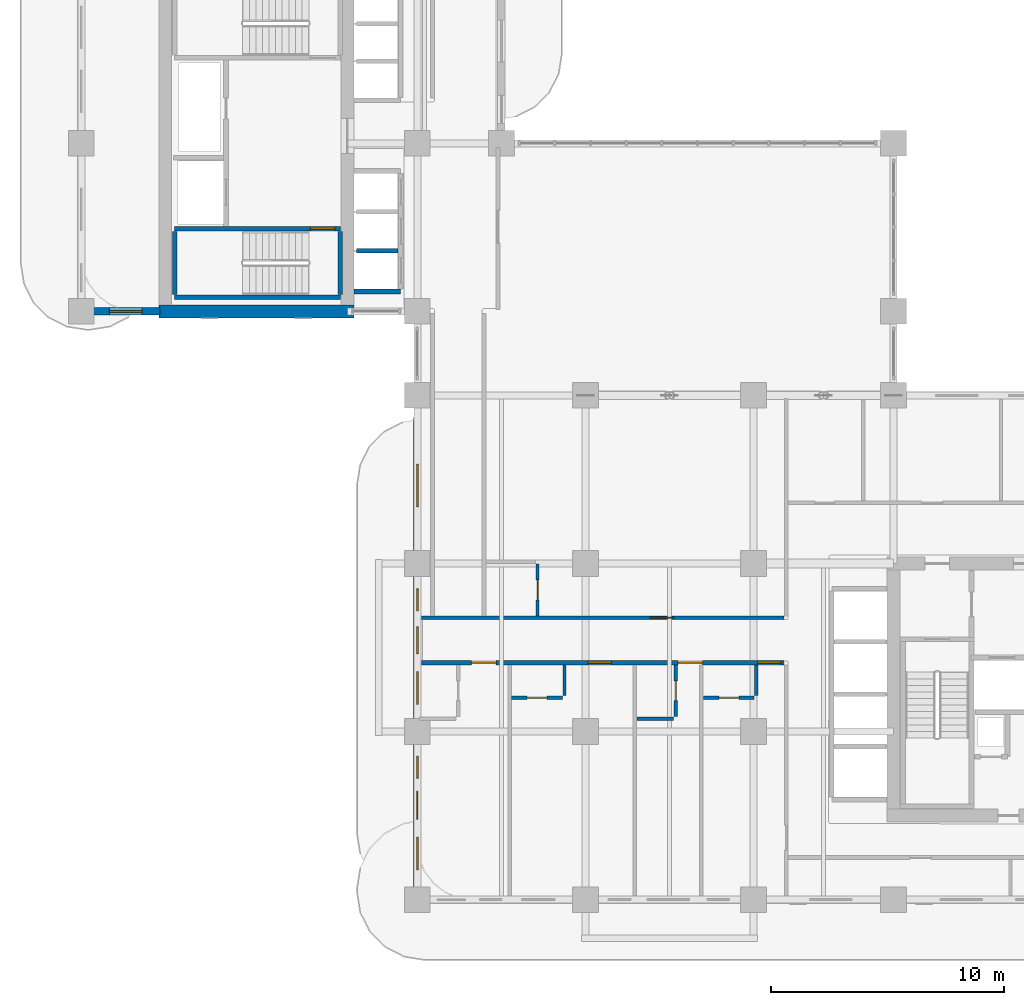
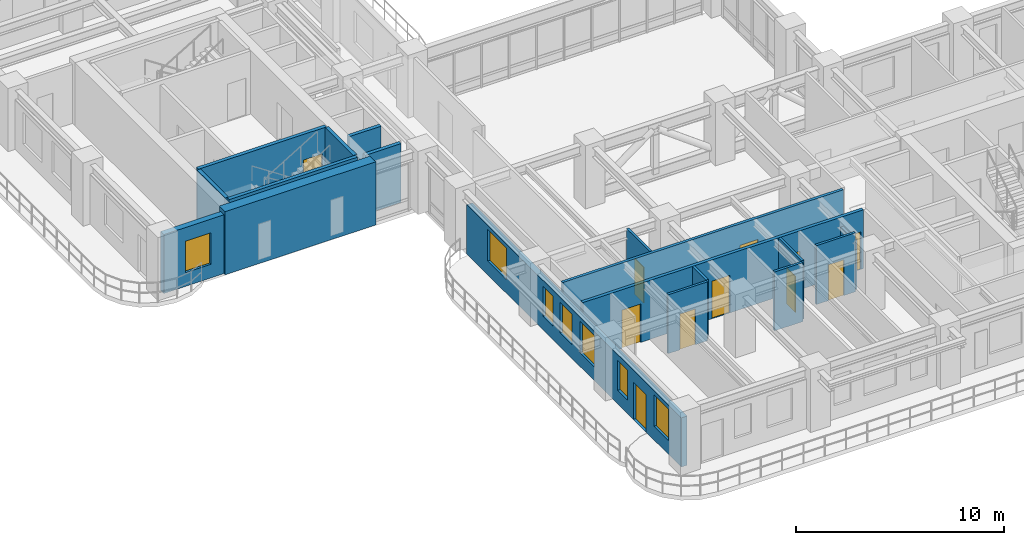
# One storey, part 11 of 21: 18 walls, 11 doors, 7 windows, 18 openings.
"""IFC4 building model written with IfcOpenShell, lengths in metres."""

from ifc_helpers import new_model, si_unit, derived_unit, direction, frame, frame_2d, origin, place, context, subcontext, project, spatial, rectangle, extrude, source, transform, mapped, material, layer, layer_set, type_object, type_shapes, element, fill, save


model = new_model("IFC4")

# Units and contexts
model_context = context("Model", 3, precision=1e-05, world=origin(), true_north=direction((0.0, 1.0)))
body_context = subcontext(model_context, "Body", "Model", "MODEL_VIEW")
ifc_project = project(units=[si_unit("LENGTHUNIT", "METRE"), si_unit("AREAUNIT", "SQUARE_METRE"), si_unit("VOLUMEUNIT", "CUBIC_METRE"), si_unit("PLANEANGLEUNIT", "RADIAN"), si_unit("MASSUNIT", "GRAM", prefix="KILO"), si_unit("THERMODYNAMICTEMPERATUREUNIT", "KELVIN"), si_unit("POWERUNIT", "WATT"), derived_unit("THERMALTRANSMITTANCEUNIT", [(si_unit("POWERUNIT", "WATT"), 1), (si_unit("AREAUNIT", "SQUARE_METRE"), -1), (si_unit("THERMODYNAMICTEMPERATUREUNIT", "KELVIN"), -1)])], contexts=[model_context])

# Site, building, storey
site_placement = place(None, origin())
site = spatial("IfcSite", under=ifc_project, at=site_placement, CompositionType="ELEMENT")
building_placement = place(site_placement, origin())
building = spatial("IfcBuilding", under=site, at=building_placement, Name="Zahravan Archway Hotel and Residences", CompositionType="ELEMENT")
storey_placement = place(building_placement, frame((0.0, 0.0, 69.39990234375)))
storey = spatial("IfcBuildingStorey", under=building, at=storey_placement, Name="L16", CompositionType="ELEMENT", Elevation=69.39990234375)

# Wall
ifc_material_1 = material(Name="Concrete C70/85", Category="concrete")
ifc_layer_1 = layer(ifc_material_1, 0.550048828125, Name="Concrete C70/85", Category="concrete")
ifc_layer_set_1 = layer_set([ifc_layer_1], Name="Concrete C70/85")
wall_type_1 = type_object("IfcWallType", Name="CW-CORE-550", PredefinedType="SHEAR", material=ifc_layer_set_1)
wall_1_placement = place(storey_placement, frame((3.324951171875, 25.199951171875, 0.0), z_axis=(0.0, 0.0, 1.0), x_axis=(1.0, 0.0, 0.0)))
element("IfcWall", 1, at=wall_1_placement, inside=storey, type_object=wall_type_1, Name="L16 Core B Shear S Wall 550 mm", PredefinedType="SHEAR", context=body_context, shape_type="SweptSolid", body=[
    extrude(rectangle(XDim=8.35009765625, YDim=0.550048828125, at=frame_2d((4.175048828125, 0.0))), origin(), (0.0, 0.0, 1.0), 3.7001953125),
])

# Wall, openings, door, windows
ifc_material_2 = material(Name="Agra Buff Sandstone & Insulated Backup", Category="masonry")
ifc_layer_2 = layer(ifc_material_2, 0.320068359375, Name="Agra Buff Sandstone & Insulated Backup", Category="masonry")
ifc_layer_set_2 = layer_set([ifc_layer_2], Name="Agra Buff Sandstone & Insulated Backup")
wall_type_2 = type_object("IfcWallType", Name="EW-SAND-320", PredefinedType="SOLIDWALL", material=ifc_layer_set_2)
wall_2_placement = place(storey_placement, frame((14.39990234375, 0.050048828125, 0.0), z_axis=(0.0, 0.0, 1.0), x_axis=(0.0, 1.0, 0.0)))
wall_2 = element("IfcWall", 2, at=wall_2_placement, inside=storey, type_object=wall_type_2, Name="L16 Exterior Sandstone Wall WA-WL", PredefinedType="SOLIDWALL", context=body_context, shape_type="SweptSolid", body=[
    extrude(rectangle(XDim=20.599853515625, YDim=0.320068359375, at=frame_2d((10.2998046875, 0.0))), origin(), (0.0, 0.0, 1.0), 2.885009765625),
])
opening_1_placement = place(wall_2_placement, frame((3.39990234375, 0.0, 0.0)))
opening_1 = element("IfcOpeningElement", 3, at=opening_1_placement, cuts=wall_2, Name="Opening ED-BL1", PredefinedType="OPENING", context=body_context, shape_type="SweptSolid", body=[
    extrude(rectangle(XDim=1.199951171875, YDim=2.199951171875, at=frame_2d((0.60009765625, 1.10009765625))), frame((0.0, 0.169921875, 0.0), z_axis=(0.0, -1.0, 0.0), x_axis=(1.0, 0.0, 0.0)), (0.0, 0.0, 1.0), 0.340087890625),
])
opening_2_placement = place(wall_2_placement, frame((1.22509765625, 0.0, 0.800048828125)))
opening_2 = element("IfcOpeningElement", 4, at=opening_2_placement, cuts=wall_2, Name="Opening W-03", PredefinedType="OPENING", context=body_context, shape_type="SweptSolid", body=[
    extrude(rectangle(XDim=1.39990234375, YDim=1.85009765625, at=frame_2d((0.699951171875, 0.925048828125))), frame((0.0, 0.169921875, 0.0), z_axis=(0.0, -1.0, 0.0), x_axis=(1.0, 0.0, 0.0)), (0.0, 0.0, 1.0), 0.340087890625),
])
opening_3_placement = place(wall_2_placement, frame((5.14990234375, 0.0, 0.800048828125)))
opening_3 = element("IfcOpeningElement", 5, at=opening_3_placement, cuts=wall_2, Name="Opening W-04", PredefinedType="OPENING", context=body_context, shape_type="SweptSolid", body=[
    extrude(rectangle(XDim=0.949951171875, YDim=1.75, at=frame_2d((0.47509765625, 0.875))), frame((0.0, 0.169921875, 0.0), z_axis=(0.0, -1.0, 0.0), x_axis=(1.0, 0.0, 0.0)), (0.0, 0.0, 1.0), 0.340087890625),
])
opening_4_placement = place(wall_2_placement, frame((8.321044921875, 0.0, 0.800048828125)))
opening_4 = element("IfcOpeningElement", 6, at=opening_4_placement, cuts=wall_2, Name="Opening W-03", PredefinedType="OPENING", context=body_context, shape_type="SweptSolid", body=[
    extrude(rectangle(XDim=1.39990234375, YDim=1.85009765625, at=frame_2d((0.699951171875, 0.925048828125))), frame((0.0, 0.169921875, 0.0), z_axis=(0.0, -1.0, 0.0), x_axis=(1.0, 0.0, 0.0)), (0.0, 0.0, 1.0), 0.340087890625),
])
opening_5_placement = place(wall_2_placement, frame((10.485107421875, 0.0, 0.800048828125)))
opening_5 = element("IfcOpeningElement", 7, at=opening_5_placement, cuts=wall_2, Name="Opening W-05", PredefinedType="OPENING", context=body_context, shape_type="SweptSolid", body=[
    extrude(rectangle(XDim=1.14990234375, YDim=1.800048828125, at=frame_2d((0.574951171875, 0.89990234375))), frame((0.0, 0.169921875, 0.0), z_axis=(0.0, -1.0, 0.0), x_axis=(1.0, 0.0, 0.0)), (0.0, 0.0, 1.0), 0.340087890625),
])
opening_6_placement = place(wall_2_placement, frame((12.31396484375, 0.0, 0.800048828125)))
opening_6 = element("IfcOpeningElement", 8, at=opening_6_placement, cuts=wall_2, Name="Opening W-04", PredefinedType="OPENING", context=body_context, shape_type="SweptSolid", body=[
    extrude(rectangle(XDim=0.949951171875, YDim=1.75, at=frame_2d((0.47509765625, 0.875))), frame((0.0, 0.169921875, 0.0), z_axis=(0.0, -1.0, 0.0), x_axis=(1.0, 0.0, 0.0)), (0.0, 0.0, 1.0), 0.340087890625),
])
opening_7_placement = place(wall_2_placement, frame((16.7900390625, 0.0, 0.800048828125)))
opening_7 = element("IfcOpeningElement", 9, at=opening_7_placement, cuts=wall_2, Name="Opening W-02", PredefinedType="OPENING", context=body_context, shape_type="SweptSolid", body=[
    extrude(rectangle(XDim=1.800048828125, YDim=1.85009765625, at=frame_2d((0.89990234375, 0.925048828125))), frame((0.0, 0.169921875, 0.0), z_axis=(0.0, -1.0, 0.0), x_axis=(1.0, 0.0, 0.0)), (0.0, 0.0, 1.0), 0.340087890625),
])
ifc_material_3 = material(Name="Bronze-Anodized Glazed Aluminium", Category="aluminium")
door_type_1 = type_object("IfcDoorType", Name="ED-BALC-1200", OperationType="SLIDING_TO_LEFT", PredefinedType="DOOR", material=ifc_material_3)
shared_shape_1 = source(origin(), body_context, "Body", "SweptSolid", [
    extrude(rectangle(XDim=1.199951171875, YDim=2.199951171875, at=frame_2d((0.60009765625, 1.10009765625))), frame((0.0, 0.02490234375, 0.0), z_axis=(0.0, -1.0, 0.0), x_axis=(1.0, 0.0, 0.0)), (0.0, 0.0, 1.0), 0.050048828125),
])
type_shapes(door_type_1, [shared_shape_1])
door_1_placement = place(opening_1_placement, origin())
door_1 = element("IfcDoor", 10, at=door_1_placement, inside=storey, type_object=door_type_1, Name="L16 Outdoor Access Sliding Door (SLB-BAL-L16-WA)", OperationType="SLIDING_TO_LEFT", OverallHeight=2.199951171875, OverallWidth=1.199951171875, PredefinedType="DOOR", context=body_context, shape_type="MappedRepresentation", body=[
    mapped(shared_shape_1, transform((0.0, 0.0, 0.0), scale=1.0)),
])
fill(opening_1, door_1)
ifc_material_4 = material(Name="Bronze-Anodized Thermal-Break Aluminium & Low-E Glass", Category="aluminium")
window_type_1 = type_object("IfcWindowType", Name="WIN-TWR-1400", PartitioningType="SINGLE_PANEL", PredefinedType="WINDOW", material=ifc_material_4)
shared_shape_2 = source(origin(), body_context, "Body", "SweptSolid", [
    extrude(rectangle(XDim=1.39990234375, YDim=1.85009765625, at=frame_2d((0.699951171875, 0.925048828125))), frame((0.0, 0.030029296875, 0.0), z_axis=(0.0, -1.0, 0.0), x_axis=(1.0, 0.0, 0.0)), (0.0, 0.0, 1.0), 0.06005859375),
])
type_shapes(window_type_1, [shared_shape_2])
window_1_placement = place(opening_2_placement, origin())
window_1 = element("IfcWindow", 11, at=window_1_placement, inside=storey, type_object=window_type_1, Name="L16 Loggia Window 25", OverallHeight=1.85009765625, OverallWidth=1.39990234375, PartitioningType="SINGLE_PANEL", PredefinedType="WINDOW", context=body_context, shape_type="MappedRepresentation", body=[
    mapped(shared_shape_2, transform((0.0, 0.0, 0.0), scale=1.0)),
])
fill(opening_2, window_1)
window_2_placement = place(opening_4_placement, origin())
window_2 = element("IfcWindow", 12, at=window_2_placement, inside=storey, type_object=window_type_1, Name="L16 Loggia Window 27", OverallHeight=1.85009765625, OverallWidth=1.39990234375, PartitioningType="SINGLE_PANEL", PredefinedType="WINDOW", context=body_context, shape_type="MappedRepresentation", body=[
    mapped(shared_shape_2, transform((0.0, 0.0, 0.0), scale=1.0)),
])
fill(opening_4, window_2)
window_type_2 = type_object("IfcWindowType", Name="WIN-NAR-950", PartitioningType="SINGLE_PANEL", PredefinedType="WINDOW", material=ifc_material_4)
shared_shape_3 = source(origin(), body_context, "Body", "SweptSolid", [
    extrude(rectangle(XDim=0.949951171875, YDim=1.75, at=frame_2d((0.47509765625, 0.875))), frame((0.0, 0.030029296875, 0.0), z_axis=(0.0, -1.0, 0.0), x_axis=(1.0, 0.0, 0.0)), (0.0, 0.0, 1.0), 0.06005859375),
])
type_shapes(window_type_2, [shared_shape_3])
window_3_placement = place(opening_3_placement, origin())
window_3 = element("IfcWindow", 13, at=window_3_placement, inside=storey, type_object=window_type_2, Name="L16 Loggia Window 26", OverallHeight=1.75, OverallWidth=0.949951171875, PartitioningType="SINGLE_PANEL", PredefinedType="WINDOW", context=body_context, shape_type="MappedRepresentation", body=[
    mapped(shared_shape_3, transform((0.0, 0.0, 0.0), scale=1.0)),
])
fill(opening_3, window_3)
window_4_placement = place(opening_6_placement, origin())
window_4 = element("IfcWindow", 14, at=window_4_placement, inside=storey, type_object=window_type_2, Name="L16 Loggia Window 29", OverallHeight=1.75, OverallWidth=0.949951171875, PartitioningType="SINGLE_PANEL", PredefinedType="WINDOW", context=body_context, shape_type="MappedRepresentation", body=[
    mapped(shared_shape_3, transform((0.0, 0.0, 0.0), scale=1.0)),
])
fill(opening_6, window_4)
window_type_3 = type_object("IfcWindowType", Name="WIN-TWR-1800", PartitioningType="DOUBLE_PANEL_VERTICAL", PredefinedType="WINDOW", material=ifc_material_4)
shared_shape_4 = source(origin(), body_context, "Body", "SweptSolid", [
    extrude(rectangle(XDim=1.800048828125, YDim=1.85009765625, at=frame_2d((0.89990234375, 0.925048828125))), frame((0.0, 0.030029296875, 0.0), z_axis=(0.0, -1.0, 0.0), x_axis=(1.0, 0.0, 0.0)), (0.0, 0.0, 1.0), 0.06005859375),
])
type_shapes(window_type_3, [shared_shape_4])
window_5_placement = place(opening_7_placement, origin())
window_5 = element("IfcWindow", 15, at=window_5_placement, inside=storey, type_object=window_type_3, Name="L16 Loggia Window 30", OverallHeight=1.85009765625, OverallWidth=1.800048828125, PartitioningType="DOUBLE_PANEL_VERTICAL", PredefinedType="WINDOW", context=body_context, shape_type="MappedRepresentation", body=[
    mapped(shared_shape_4, transform((0.0, 0.0, 0.0), scale=1.0)),
])
fill(opening_7, window_5)
window_type_4 = type_object("IfcWindowType", Name="WIN-TWR-1150", PartitioningType="SINGLE_PANEL", PredefinedType="WINDOW", material=ifc_material_4)
shared_shape_5 = source(origin(), body_context, "Body", "SweptSolid", [
    extrude(rectangle(XDim=1.14990234375, YDim=1.800048828125, at=frame_2d((0.574951171875, 0.89990234375))), frame((0.0, 0.030029296875, 0.0), z_axis=(0.0, -1.0, 0.0), x_axis=(1.0, 0.0, 0.0)), (0.0, 0.0, 1.0), 0.06005859375),
])
type_shapes(window_type_4, [shared_shape_5])
window_6_placement = place(opening_5_placement, origin())
window_6 = element("IfcWindow", 16, at=window_6_placement, inside=storey, type_object=window_type_4, Name="L16 Loggia Window 28", OverallHeight=1.800048828125, OverallWidth=1.14990234375, PartitioningType="SINGLE_PANEL", PredefinedType="WINDOW", context=body_context, shape_type="MappedRepresentation", body=[
    mapped(shared_shape_5, transform((0.0, 0.0, 0.0), scale=1.0)),
])
fill(opening_5, window_6)

# Wall, opening, window
wall_3_placement = place(storey_placement, frame((0.0, 25.199951171875, 0.0), z_axis=(0.0, 0.0, 1.0), x_axis=(1.0, 0.0, 0.0)))
wall_3 = element("IfcWall", 17, at=wall_3_placement, inside=storey, type_object=wall_type_2, Name="L16 Exterior Sandstone Wall WB-SW", PredefinedType="SOLIDWALL", context=body_context, shape_type="SweptSolid", body=[
    extrude(rectangle(XDim=3.3798828125, YDim=0.320068359375, at=frame_2d((1.68994140625, 0.0))), origin(), (0.0, 0.0, 1.0), 3.4501953125),
])
opening_8_placement = place(wall_3_placement, frame((1.205078125, 0.0, 0.800048828125)))
opening_8 = element("IfcOpeningElement", 18, at=opening_8_placement, cuts=wall_3, Name="Opening W-03", PredefinedType="OPENING", context=body_context, shape_type="SweptSolid", body=[
    extrude(rectangle(XDim=1.39990234375, YDim=1.85009765625, at=frame_2d((0.699951171875, 0.925048828125))), frame((0.0, 0.169921875, 0.0), z_axis=(0.0, -1.0, 0.0), x_axis=(1.0, 0.0, 0.0)), (0.0, 0.0, 1.0), 0.340087890625),
])
window_7_placement = place(opening_8_placement, origin())
window_7 = element("IfcWindow", 19, at=window_7_placement, inside=storey, type_object=window_type_1, Name="L16 Loggia Window 31", OverallHeight=1.85009765625, OverallWidth=1.39990234375, PartitioningType="SINGLE_PANEL", PredefinedType="WINDOW", context=body_context, shape_type="MappedRepresentation", body=[
    mapped(shared_shape_2, transform((0.0, 0.0, 0.0), scale=1.0)),
])
fill(opening_8, window_7)

# Wall, opening, door
ifc_material_5 = material(Name="Fire-Rated Gypsum & Concrete Block", Category="concrete")
ifc_layer_3 = layer(ifc_material_5, 0.159912109375, Name="Fire-Rated Gypsum & Concrete Block", Category="concrete")
ifc_layer_set_3 = layer_set([ifc_layer_3], Name="Fire-Rated Gypsum & Concrete Block")
wall_type_3 = type_object("IfcWallType", Name="PW-CORR-160", PredefinedType="PARTITIONING", material=ifc_layer_set_3)
wall_4_placement = place(storey_placement, frame((14.568115234375, 12.070068359375, 0.0), z_axis=(0.0, 0.0, 1.0), x_axis=(1.0, 0.0, 0.0)))
wall_4 = element("IfcWall", 20, at=wall_4_placement, inside=storey, type_object=wall_type_3, Name="L16 Partition WA-CN", PredefinedType="PARTITIONING", context=body_context, shape_type="SweptSolid", body=[
    extrude(rectangle(XDim=15.5419921875, YDim=0.159912109375, at=frame_2d((7.77099609375, 0.0))), origin(), (0.0, 0.0, 1.0), 3.4501953125),
])
opening_9_placement = place(wall_4_placement, frame((9.806884765625, 0.0, 0.0)))
opening_9 = element("IfcOpeningElement", 21, at=opening_9_placement, cuts=wall_4, Name="Opening D-U2", PredefinedType="OPENING", context=body_context, shape_type="SweptSolid", body=[
    extrude(rectangle(XDim=1.0, YDim=2.199951171875, at=frame_2d((0.5, 1.10009765625))), frame((0.0, 0.08984375, 0.0), z_axis=(0.0, -1.0, 0.0), x_axis=(1.0, 0.0, 0.0)), (0.0, 0.0, 1.0), 0.179931640625),
])
ifc_material_6 = material(Name="Hardwood Veneer Timber", Category="wood")
door_type_2 = type_object("IfcDoorType", Name="ID-UNIT-1000", OperationType="NOTDEFINED", PredefinedType="DOOR", material=ifc_material_6)
shared_shape_6 = source(origin(), body_context, "Body", "SweptSolid", [
    extrude(rectangle(XDim=1.0, YDim=2.199951171875, at=frame_2d((0.5, 1.10009765625))), frame((0.0, 0.02490234375, 0.0), z_axis=(0.0, -1.0, 0.0), x_axis=(1.0, 0.0, 0.0)), (0.0, 0.0, 1.0), 0.050048828125),
])
type_shapes(door_type_2, [shared_shape_6])
door_2_placement = place(opening_9_placement, origin())
door_2 = element("IfcDoor", 22, at=door_2_placement, inside=storey, type_object=door_type_2, Name="L16 Hotel Guestroom 55 Entrance Door", OperationType="SINGLE_SWING_RIGHT", OverallHeight=2.199951171875, OverallWidth=1.0, PredefinedType="DOOR", context=body_context, shape_type="MappedRepresentation", body=[
    mapped(shared_shape_6, transform((0.0, 0.0, 0.0), scale=1.0)),
])
fill(opening_9, door_2)

# Wall, openings, doors
ifc_layer_4 = layer(ifc_material_5, 0.179931640625, Name="Fire-Rated Gypsum & Concrete Block", Category="concrete")
ifc_layer_set_4 = layer_set([ifc_layer_4], Name="Fire-Rated Gypsum & Concrete Block")
wall_type_4 = type_object("IfcWallType", Name="PW-CORR-180", PredefinedType="PARTITIONING", material=ifc_layer_set_4)
wall_5_placement = place(storey_placement, frame((14.568115234375, 10.14990234375, 0.0), z_axis=(0.0, 0.0, 1.0), x_axis=(1.0, 0.0, 0.0)))
wall_5 = element("IfcWall", 23, at=wall_5_placement, inside=storey, type_object=wall_type_4, Name="L16 Partition WA-CS", PredefinedType="PARTITIONING", context=body_context, shape_type="SweptSolid", body=[
    extrude(rectangle(XDim=15.5419921875, YDim=0.179931640625, at=frame_2d((7.77099609375, 0.0))), origin(), (0.0, 0.0, 1.0), 3.4501953125),
])
opening_10_placement = place(wall_5_placement, frame((2.156982421875, 0.0, 0.0)))
opening_10 = element("IfcOpeningElement", 24, at=opening_10_placement, cuts=wall_5, Name="Opening D-U1", PredefinedType="OPENING", context=body_context, shape_type="SweptSolid", body=[
    extrude(rectangle(XDim=1.050048828125, YDim=2.25, at=frame_2d((0.52490234375, 1.125))), frame((0.0, 0.10009765625, 0.0), z_axis=(0.0, -1.0, 0.0), x_axis=(1.0, 0.0, 0.0)), (0.0, 0.0, 1.0), 0.199951171875),
])
opening_11_placement = place(wall_5_placement, frame((7.14208984375, 0.0, 0.0)))
opening_11 = element("IfcOpeningElement", 25, at=opening_11_placement, cuts=wall_5, Name="Opening D-U2", PredefinedType="OPENING", context=body_context, shape_type="SweptSolid", body=[
    extrude(rectangle(XDim=1.0, YDim=2.199951171875, at=frame_2d((0.5, 1.10009765625))), frame((0.0, 0.10009765625, 0.0), z_axis=(0.0, -1.0, 0.0), x_axis=(1.0, 0.0, 0.0)), (0.0, 0.0, 1.0), 0.199951171875),
])
opening_12_placement = place(wall_5_placement, frame((10.987060546875, 0.0, 0.0)))
opening_12 = element("IfcOpeningElement", 26, at=opening_12_placement, cuts=wall_5, Name="Opening D-U1", PredefinedType="OPENING", context=body_context, shape_type="SweptSolid", body=[
    extrude(rectangle(XDim=1.050048828125, YDim=2.25, at=frame_2d((0.52490234375, 1.125))), frame((0.0, 0.10009765625, 0.0), z_axis=(0.0, -1.0, 0.0), x_axis=(1.0, 0.0, 0.0)), (0.0, 0.0, 1.0), 0.199951171875),
])
opening_13_placement = place(wall_5_placement, frame((14.402099609375, 0.0, 0.0)))
opening_13 = element("IfcOpeningElement", 27, at=opening_13_placement, cuts=wall_5, Name="Opening D-U2", PredefinedType="OPENING", context=body_context, shape_type="SweptSolid", body=[
    extrude(rectangle(XDim=1.0, YDim=2.199951171875, at=frame_2d((0.5, 1.10009765625))), frame((0.0, 0.10009765625, 0.0), z_axis=(0.0, -1.0, 0.0), x_axis=(1.0, 0.0, 0.0)), (0.0, 0.0, 1.0), 0.199951171875),
])
door_type_3 = type_object("IfcDoorType", Name="ID-UNIT-1050", OperationType="NOTDEFINED", PredefinedType="DOOR", material=ifc_material_6)
shared_shape_7 = source(origin(), body_context, "Body", "SweptSolid", [
    extrude(rectangle(XDim=1.050048828125, YDim=2.25, at=frame_2d((0.52490234375, 1.125))), frame((0.0, 0.02490234375, 0.0), z_axis=(0.0, -1.0, 0.0), x_axis=(1.0, 0.0, 0.0)), (0.0, 0.0, 1.0), 0.050048828125),
])
type_shapes(door_type_3, [shared_shape_7])
door_3_placement = place(opening_10_placement, origin())
door_3 = element("IfcDoor", 28, at=door_3_placement, inside=storey, type_object=door_type_3, Name="L16 Hotel Guestroom 40 Entrance Door", OperationType="SINGLE_SWING_LEFT", OverallHeight=2.25, OverallWidth=1.050048828125, PredefinedType="DOOR", context=body_context, shape_type="MappedRepresentation", body=[
    mapped(shared_shape_7, transform((0.0, 0.0, 0.0), scale=1.0)),
])
fill(opening_10, door_3)
door_4_placement = place(opening_12_placement, origin())
door_4 = element("IfcDoor", 29, at=door_4_placement, inside=storey, type_object=door_type_3, Name="L16 Hotel Guestroom 42 Entrance Door", OperationType="SINGLE_SWING_LEFT", OverallHeight=2.25, OverallWidth=1.050048828125, PredefinedType="DOOR", context=body_context, shape_type="MappedRepresentation", body=[
    mapped(shared_shape_7, transform((0.0, 0.0, 0.0), scale=1.0)),
])
fill(opening_12, door_4)
door_5_placement = place(opening_11_placement, origin())
door_5 = element("IfcDoor", 30, at=door_5_placement, inside=storey, type_object=door_type_2, Name="L16 Hotel Guestroom 41 Entrance Door", OperationType="SINGLE_SWING_LEFT", OverallHeight=2.199951171875, OverallWidth=1.0, PredefinedType="DOOR", context=body_context, shape_type="MappedRepresentation", body=[
    mapped(shared_shape_6, transform((0.0, 0.0, 0.0), scale=1.0)),
])
fill(opening_11, door_5)
door_6_placement = place(opening_13_placement, origin())
door_6 = element("IfcDoor", 31, at=door_6_placement, inside=storey, type_object=door_type_2, Name="L16 Hotel Guestroom 43 Entrance Door", OperationType="SINGLE_SWING_LEFT", OverallHeight=2.199951171875, OverallWidth=1.0, PredefinedType="DOOR", context=body_context, shape_type="MappedRepresentation", body=[
    mapped(shared_shape_6, transform((0.0, 0.0, 0.0), scale=1.0)),
])
fill(opening_13, door_6)

# Walls
ifc_layer_5 = layer(ifc_material_5, 0.199951171875, Name="Fire-Rated Gypsum & Concrete Block", Category="concrete")
ifc_layer_set_5 = layer_set([ifc_layer_5], Name="Fire-Rated Gypsum & Concrete Block")
wall_type_5 = type_object("IfcWallType", Name="PW-SHAFT-200", PredefinedType="PARTITIONING", material=ifc_layer_set_5)
wall_6_placement = place(storey_placement, frame((11.68505859375, 26.050048828125, 0.0), z_axis=(0.0, 0.0, 1.0), x_axis=(1.0, 0.0, 0.0)))
element("IfcWall", 32, at=wall_6_placement, inside=storey, type_object=wall_type_5, Name="L16 Partition B1-S", PredefinedType="PARTITIONING", context=body_context, shape_type="SweptSolid", body=[
    extrude(rectangle(XDim=1.98486328125, YDim=0.199951171875, at=frame_2d((0.992431640625, 0.0))), origin(), (0.0, 0.0, 1.0), 3.4501953125),
])
wall_7_placement = place(storey_placement, frame((11.784912109375, 27.7900390625, 0.0), z_axis=(0.0, 0.0, 1.0), x_axis=(1.0, 0.0, 0.0)))
element("IfcWall", 33, at=wall_7_placement, inside=storey, type_object=wall_type_5, Name="L16 Partition B1-D", PredefinedType="PARTITIONING", context=body_context, shape_type="SweptSolid", body=[
    extrude(rectangle(XDim=1.78515625, YDim=0.199951171875, at=frame_2d((0.892578125, 0.0))), origin(), (0.0, 0.0, 1.0), 3.4501953125),
])
ifc_material_7 = material(Name="Moisture-Resistant Blockwork", Category="masonry")
ifc_layer_6 = layer(ifc_material_7, 0.139892578125, Name="Moisture-Resistant Blockwork", Category="masonry")
ifc_layer_set_6 = layer_set([ifc_layer_6], Name="Moisture-Resistant Blockwork")
wall_type_6 = type_object("IfcWallType", Name="PW-WET-140", PredefinedType="PARTITIONING", material=ifc_layer_set_6)
wall_8_placement = place(storey_placement, frame((20.699951171875, 8.739990234375, 0.0), z_axis=(0.0, 0.0, 1.0), x_axis=(0.0, 1.0, 0.0)))
element("IfcWall", 34, at=wall_8_placement, inside=storey, type_object=wall_type_6, Name="L16 Partition HKB-V41", PredefinedType="PARTITIONING", context=body_context, shape_type="SweptSolid", body=[
    extrude(rectangle(XDim=1.320068359375, YDim=0.139892578125, at=frame_2d((0.66015625, 0.0))), origin(), (0.0, 0.0, 1.0), 3.4501953125),
])

# Wall, opening, door
wall_9_placement = place(storey_placement, frame((18.43994140625, 8.64990234375, 0.0), z_axis=(0.0, 0.0, 1.0), x_axis=(1.0, 0.0, 0.0)))
wall_9 = element("IfcWall", 35, at=wall_9_placement, inside=storey, type_object=wall_type_6, Name="L16 Partition HKB-H41", PredefinedType="PARTITIONING", context=body_context, shape_type="SweptSolid", body=[
    extrude(rectangle(XDim=2.170166015625, YDim=0.139892578125, at=frame_2d((1.0849609375, 0.0))), origin(), (0.0, 0.0, 1.0), 3.4501953125),
])
opening_14_placement = place(wall_9_placement, frame((0.659912109375, 0.0, 0.0)))
opening_14 = element("IfcOpeningElement", 36, at=opening_14_placement, cuts=wall_9, Name="Opening D-B1", PredefinedType="OPENING", context=body_context, shape_type="SweptSolid", body=[
    extrude(rectangle(XDim=0.85009765625, YDim=2.10009765625, at=frame_2d((0.425048828125, 1.050048828125))), frame((0.0, 0.080078125, 0.0), z_axis=(0.0, -1.0, 0.0), x_axis=(1.0, 0.0, 0.0)), (0.0, 0.0, 1.0), 0.159912109375),
])
door_type_4 = type_object("IfcDoorType", Name="ID-BATH-850", OperationType="NOTDEFINED", PredefinedType="DOOR", material=ifc_material_6)
shared_shape_8 = source(origin(), body_context, "Body", "SweptSolid", [
    extrude(rectangle(XDim=0.85009765625, YDim=2.10009765625, at=frame_2d((0.425048828125, 1.050048828125))), frame((0.0, 0.02490234375, 0.0), z_axis=(0.0, -1.0, 0.0), x_axis=(1.0, 0.0, 0.0)), (0.0, 0.0, 1.0), 0.050048828125),
])
type_shapes(door_type_4, [shared_shape_8])
door_7_placement = place(opening_14_placement, origin())
door_7 = element("IfcDoor", 37, at=door_7_placement, inside=storey, type_object=door_type_4, Name="L16 Guestroom 41 En-Suite Door", OperationType="SINGLE_SWING_RIGHT", OverallHeight=2.10009765625, OverallWidth=0.85009765625, PredefinedType="DOOR", context=body_context, shape_type="MappedRepresentation", body=[
    mapped(shared_shape_8, transform((0.0, 0.0, 0.0), scale=1.0)),
])
fill(opening_14, door_7)

wall_10_placement = place(storey_placement, frame((25.469970703125, 7.840087890625, 0.0), z_axis=(0.0, 0.0, 1.0), x_axis=(0.0, 1.0, 0.0)))
wall_10 = element("IfcWall", 38, at=wall_10_placement, inside=storey, type_object=wall_type_6, Name="L16 Partition HKB-V42", PredefinedType="PARTITIONING", context=body_context, shape_type="SweptSolid", body=[
    extrude(rectangle(XDim=2.219970703125, YDim=0.139892578125, at=frame_2d((1.10986328125, 0.0))), origin(), (0.0, 0.0, 1.0), 3.4501953125),
])
opening_15_placement = place(wall_10_placement, frame((0.68505859375, 0.0, 0.0)))
opening_15 = element("IfcOpeningElement", 39, at=opening_15_placement, cuts=wall_10, Name="Opening D-B1", PredefinedType="OPENING", context=body_context, shape_type="SweptSolid", body=[
    extrude(rectangle(XDim=0.85009765625, YDim=2.10009765625, at=frame_2d((0.425048828125, 1.050048828125))), frame((0.0, 0.080078125, 0.0), z_axis=(0.0, -1.0, 0.0), x_axis=(1.0, 0.0, 0.0)), (0.0, 0.0, 1.0), 0.159912109375),
])
door_8_placement = place(opening_15_placement, origin())
door_8 = element("IfcDoor", 40, at=door_8_placement, inside=storey, type_object=door_type_4, Name="L16 Guestroom 42 En-Suite Door", OperationType="SINGLE_SWING_RIGHT", OverallHeight=2.10009765625, OverallWidth=0.85009765625, PredefinedType="DOOR", context=body_context, shape_type="MappedRepresentation", body=[
    mapped(shared_shape_8, transform((0.0, 0.0, 0.0), scale=1.0)),
])
fill(opening_15, door_8)

# Walls
wall_11_placement = place(storey_placement, frame((23.81005859375, 7.75, 0.0), z_axis=(0.0, 0.0, 1.0), x_axis=(1.0, 0.0, 0.0)))
element("IfcWall", 41, at=wall_11_placement, inside=storey, type_object=wall_type_6, Name="L16 Partition HKB-H42", PredefinedType="PARTITIONING", context=body_context, shape_type="SweptSolid", body=[
    extrude(rectangle(XDim=1.56982421875, YDim=0.139892578125, at=frame_2d((0.784912109375, 0.0))), origin(), (0.0, 0.0, 1.0), 3.4501953125),
])
wall_12_placement = place(storey_placement, frame((28.919921875, 8.739990234375, 0.0), z_axis=(0.0, 0.0, 1.0), x_axis=(0.0, 1.0, 0.0)))
element("IfcWall", 42, at=wall_12_placement, inside=storey, type_object=wall_type_6, Name="L16 Partition HKB-V43", PredefinedType="PARTITIONING", context=body_context, shape_type="SweptSolid", body=[
    extrude(rectangle(XDim=1.320068359375, YDim=0.139892578125, at=frame_2d((0.66015625, 0.0))), origin(), (0.0, 0.0, 1.0), 2.885009765625),
])

# Wall, opening, door
wall_13_placement = place(storey_placement, frame((26.659912109375, 8.64990234375, 0.0), z_axis=(0.0, 0.0, 1.0), x_axis=(1.0, 0.0, 0.0)))
wall_13 = element("IfcWall", 43, at=wall_13_placement, inside=storey, type_object=wall_type_6, Name="L16 Partition HKB-H43", PredefinedType="PARTITIONING", context=body_context, shape_type="SweptSolid", body=[
    extrude(rectangle(XDim=2.170166015625, YDim=0.139892578125, at=frame_2d((1.0849609375, 0.0))), origin(), (0.0, 0.0, 1.0), 3.4501953125),
])
opening_16_placement = place(wall_13_placement, frame((0.659912109375, 0.0, 0.0)))
opening_16 = element("IfcOpeningElement", 44, at=opening_16_placement, cuts=wall_13, Name="Opening D-B1", PredefinedType="OPENING", context=body_context, shape_type="SweptSolid", body=[
    extrude(rectangle(XDim=0.85009765625, YDim=2.10009765625, at=frame_2d((0.425048828125, 1.050048828125))), frame((0.0, 0.080078125, 0.0), z_axis=(0.0, -1.0, 0.0), x_axis=(1.0, 0.0, 0.0)), (0.0, 0.0, 1.0), 0.159912109375),
])
door_9_placement = place(opening_16_placement, origin())
door_9 = element("IfcDoor", 45, at=door_9_placement, inside=storey, type_object=door_type_4, Name="L16 Guestroom 43 En-Suite Door", OperationType="SINGLE_SWING_RIGHT", OverallHeight=2.10009765625, OverallWidth=0.85009765625, PredefinedType="DOOR", context=body_context, shape_type="MappedRepresentation", body=[
    mapped(shared_shape_8, transform((0.0, 0.0, 0.0), scale=1.0)),
])
fill(opening_16, door_9)

wall_14_placement = place(storey_placement, frame((19.550048828125, 12.159912109375, 0.0), z_axis=(0.0, 0.0, 1.0), x_axis=(0.0, 1.0, 0.0)))
wall_14 = element("IfcWall", 46, at=wall_14_placement, inside=storey, type_object=wall_type_6, Name="L16 Partition HKB-V55", PredefinedType="PARTITIONING", context=body_context, shape_type="SweptSolid", body=[
    extrude(rectangle(XDim=2.219970703125, YDim=0.139892578125, at=frame_2d((1.10986328125, 0.0))), origin(), (0.0, 0.0, 1.0), 3.4501953125),
])
opening_17_placement = place(wall_14_placement, frame((0.68505859375, 0.0, 0.0)))
opening_17 = element("IfcOpeningElement", 47, at=opening_17_placement, cuts=wall_14, Name="Opening D-B1", PredefinedType="OPENING", context=body_context, shape_type="SweptSolid", body=[
    extrude(rectangle(XDim=0.85009765625, YDim=2.10009765625, at=frame_2d((0.425048828125, 1.050048828125))), frame((0.0, 0.080078125, 0.0), z_axis=(0.0, -1.0, 0.0), x_axis=(1.0, 0.0, 0.0)), (0.0, 0.0, 1.0), 0.159912109375),
])
door_10_placement = place(opening_17_placement, origin())
door_10 = element("IfcDoor", 48, at=door_10_placement, inside=storey, type_object=door_type_4, Name="L16 Guestroom 55 En-Suite Door", OperationType="SINGLE_SWING_LEFT", OverallHeight=2.10009765625, OverallWidth=0.85009765625, PredefinedType="DOOR", context=body_context, shape_type="MappedRepresentation", body=[
    mapped(shared_shape_8, transform((0.0, 0.0, 0.0), scale=1.0)),
])
fill(opening_17, door_10)

# Walls
ifc_material_8 = material(Name="Concrete C50/60", Category="concrete")
ifc_layer_7 = layer(ifc_material_8, 0.199951171875, Name="Concrete C50/60", Category="concrete")
ifc_layer_set_7 = layer_set([ifc_layer_7], Name="Concrete C50/60")
wall_type_7 = type_object("IfcWallType", Name="SW-STAIR-200", PredefinedType="SHEAR", material=ifc_layer_set_7)
wall_15_placement = place(storey_placement, frame((4.0, 25.800048828125, 0.0), z_axis=(0.0, 0.0, 1.0), x_axis=(1.0, 0.0, 0.0)))
element("IfcWall", 49, at=wall_15_placement, inside=storey, type_object=wall_type_7, Name="L16 Stairwell RC Wall CB-SB1S", PredefinedType="SHEAR", context=body_context, shape_type="SweptSolid", body=[
    extrude(rectangle(XDim=7.10009765625, YDim=0.199951171875, at=frame_2d((3.550048828125, 0.0))), origin(), (0.0, 0.0, 1.0), 3.7001953125),
])
for number, where, z_axis, x_axis, name in (
    (50, (4.0, 25.919921875, 0.0), (0.0, 0.0, 1.0), (0.0, 1.0, 0.0), "L16 Stairwell RC Wall CB-SB1W"),
    (51, (11.10009765625, 25.919921875, 0.0), (0.0, 0.0, 1.0), (0.0, 1.0, 0.0), "L16 Stairwell RC Wall CB-SB1E"),
):
    element("IfcWall", number, at=place(storey_placement, frame(where, z_axis=z_axis, x_axis=x_axis)), inside=storey, type_object=wall_type_7, Name=name, PredefinedType="SHEAR", context=body_context, shape_type="SweptSolid", body=[
        extrude(rectangle(XDim=2.7001953125, YDim=0.199951171875, at=frame_2d((1.35009765625, 0.0))), origin(), (0.0, 0.0, 1.0), 3.7001953125),
    ])

# Wall, opening, door
wall_16_placement = place(storey_placement, frame((4.0, 28.739990234375, 0.0), z_axis=(0.0, 0.0, 1.0), x_axis=(1.0, 0.0, 0.0)))
wall_16 = element("IfcWall", 52, at=wall_16_placement, inside=storey, type_object=wall_type_7, Name="L16 Stairwell RC Wall CB-SB1N", PredefinedType="SHEAR", context=body_context, shape_type="SweptSolid", body=[
    extrude(rectangle(XDim=7.10009765625, YDim=0.199951171875, at=frame_2d((3.550048828125, 0.0))), origin(), (0.0, 0.0, 1.0), 3.7001953125),
])
opening_18_placement = place(wall_16_placement, frame((5.81494140625, 0.0, 0.0)))
opening_18 = element("IfcOpeningElement", 53, at=opening_18_placement, cuts=wall_16, Name="Opening FD-S1", PredefinedType="OPENING", context=body_context, shape_type="SweptSolid", body=[
    extrude(rectangle(XDim=1.050048828125, YDim=2.199951171875, at=frame_2d((0.52490234375, 1.10009765625))), frame((0.0, 0.10986328125, 0.0), z_axis=(0.0, -1.0, 0.0), x_axis=(1.0, 0.0, 0.0)), (0.0, 0.0, 1.0), 0.219970703125),
])
ifc_material_9 = material(Name="Fire-Rated Painted Steel", Category="steel")
door_type_5 = type_object("IfcDoorType", Name="FD-STAIR-1100", OperationType="NOTDEFINED", PredefinedType="DOOR", material=ifc_material_9)
shared_shape_9 = source(origin(), body_context, "Body", "SweptSolid", [
    extrude(rectangle(XDim=1.050048828125, YDim=2.199951171875, at=frame_2d((0.52490234375, 1.10009765625))), frame((0.0, 0.02490234375, 0.0), z_axis=(0.0, -1.0, 0.0), x_axis=(1.0, 0.0, 0.0)), (0.0, 0.0, 1.0), 0.050048828125),
])
type_shapes(door_type_5, [shared_shape_9])
door_11_placement = place(opening_18_placement, origin())
door_11 = element("IfcDoor", 54, at=door_11_placement, inside=storey, type_object=door_type_5, Name="L16 Stair ST-B1 Door", OperationType="SINGLE_SWING_RIGHT", OverallHeight=2.199951171875, OverallWidth=1.050048828125, PredefinedType="DOOR", context=body_context, shape_type="MappedRepresentation", body=[
    mapped(shared_shape_9, transform((0.0, 0.0, 0.0), scale=1.0)),
])
fill(opening_18, door_11)

save(model, "model.ifc")
